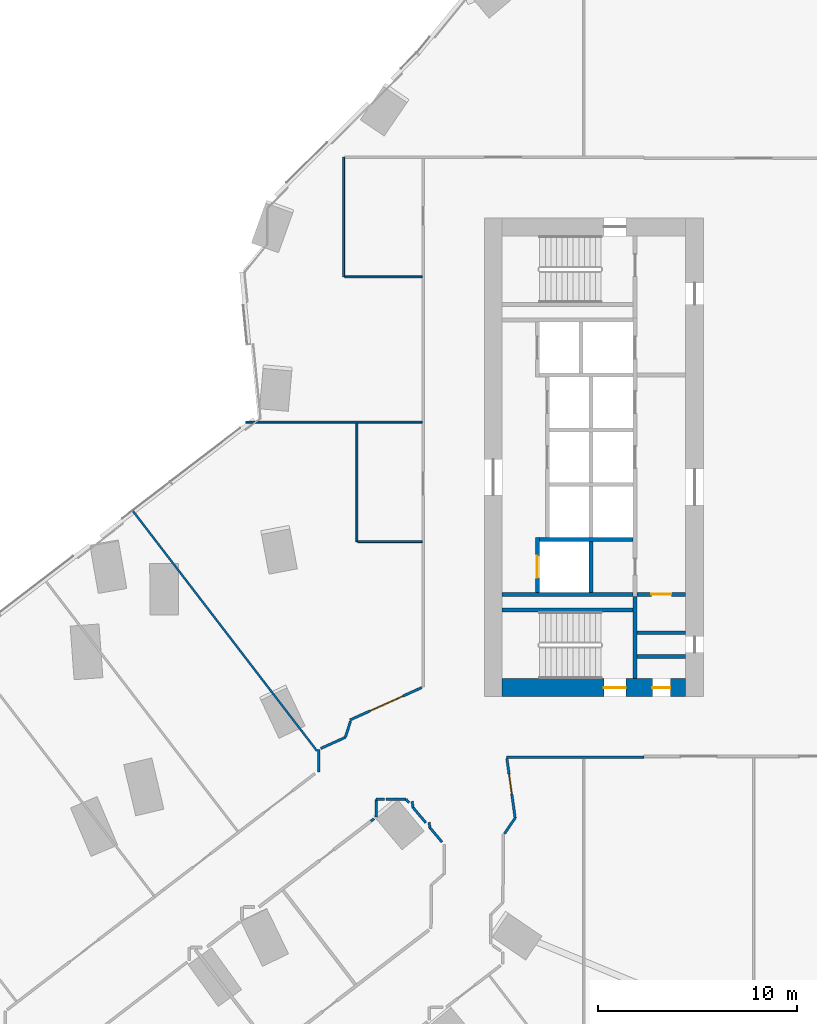
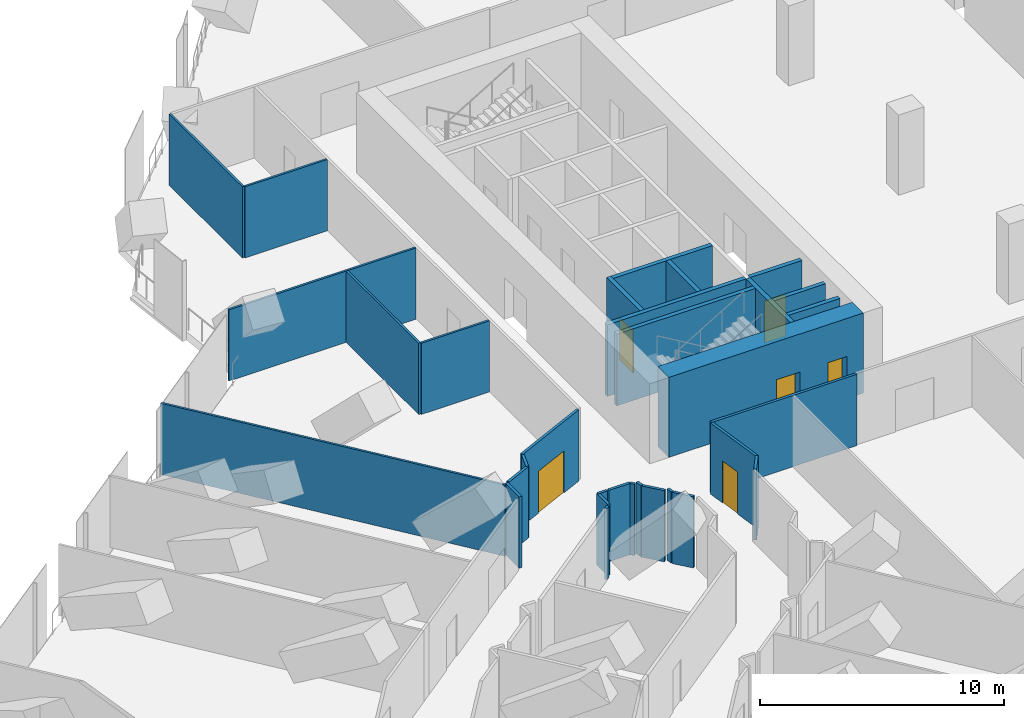
# One storey, part 24 of 32: 32 walls, 6 doors, 6 openings.
"""IFC4 building model written with IfcOpenShell, lengths in metres."""

from ifc_helpers import new_model, si_unit, direction, frame, frame_2d, origin, place, context, subcontext, project, spatial, rectangle, extrude, material, layer, layer_set, type_object, element, fill, save


model = new_model("IFC4")

# Units and contexts
model_context = context("Model", 3, precision=1e-05, world=origin(), true_north=direction((0.0, 1.0)))
body_context = subcontext(model_context, "Body", "Model", "MODEL_VIEW")
ifc_project = project(units=[si_unit("LENGTHUNIT", "METRE"), si_unit("AREAUNIT", "SQUARE_METRE"), si_unit("VOLUMEUNIT", "CUBIC_METRE"), si_unit("PLANEANGLEUNIT", "RADIAN"), si_unit("MASSUNIT", "GRAM", prefix="KILO")], contexts=[model_context])

# Site, building, storey
site_placement = place(None, origin())
site = spatial("IfcSite", under=ifc_project, at=site_placement, CompositionType="ELEMENT")
building_placement = place(site_placement, origin())
building = spatial("IfcBuilding", under=site, at=building_placement, Name="Orlundy Tower", CompositionType="ELEMENT")
storey_placement = place(building_placement, frame((0.0, 0.0, 33.300048828125)))
storey = spatial("IfcBuildingStorey", under=building, at=storey_placement, Name="L06", CompositionType="ELEMENT", Elevation=33.300048828125)

# Wall, openings, doors
ifc_material_1 = material(Name="Concrete C80/95", Category="concrete")
ifc_layer_1 = layer(ifc_material_1, 0.89990234375)
ifc_layer_set_1 = layer_set([ifc_layer_1], Name="CORE WALL 900 C80/95")
wall_type_1 = type_object("IfcWallType", Name="CORE WALL 900 C80/95", PredefinedType="SHEAR", material=ifc_layer_set_1)
wall_1_placement = place(storey_placement, frame((-18.10009765625, -11.550048828125, 0.0), z_axis=(0.0, 0.0, 1.0), x_axis=(1.0, 0.0, 0.0)))
wall_1 = element("IfcWall", 1, at=wall_1_placement, inside=storey, type_object=wall_type_1, Name="Core wall W-S L06", PredefinedType="SHEAR", context=body_context, shape_type="SweptSolid", body=[
    extrude(rectangle(XDim=9.2001953125, YDim=0.89990234375, at=frame_2d((4.60009765625, 0.0))), origin(), (0.0, 0.0, 1.0), 4.0),
])
opening_1_placement = place(wall_1_placement, frame((5.10009765625, 0.0, 0.0)))
opening_1 = element("IfcOpeningElement", 2, at=opening_1_placement, cuts=wall_1, Name="Opening 07013", PredefinedType="OPENING", context=body_context, shape_type="SweptSolid", body=[
    extrude(rectangle(XDim=1.10009765625, YDim=2.10009765625, at=frame_2d((0.550048828125, 1.050048828125))), frame((0.0, 0.4599609375, 0.0), z_axis=(0.0, -1.0, 0.0), x_axis=(1.0, 0.0, 0.0)), (0.0, 0.0, 1.0), 0.919921875),
])
opening_2_placement = place(wall_1_placement, frame((7.530029296875, 0.0, 0.0)))
opening_2 = element("IfcOpeningElement", 3, at=opening_2_placement, cuts=wall_1, Name="Opening 07015", PredefinedType="OPENING", context=body_context, shape_type="SweptSolid", body=[
    extrude(rectangle(XDim=0.89990234375, YDim=2.10009765625, at=frame_2d((0.449951171875, 1.050048828125))), frame((0.0, 0.4599609375, 0.0), z_axis=(0.0, -1.0, 0.0), x_axis=(1.0, 0.0, 0.0)), (0.0, 0.0, 1.0), 0.919921875),
])
ifc_material_2 = material(Name="Timber door set", Category="wood")
door_type_1 = type_object("IfcDoorType", Name="Room Door 900x2100", OperationType="SINGLE_SWING_LEFT", PredefinedType="DOOR", material=ifc_material_2)
door_1_placement = place(opening_2_placement, origin())
door_1 = element("IfcDoor", 4, at=door_1_placement, inside=storey, type_object=door_type_1, Name="Store door 07015", OperationType="SINGLE_SWING_RIGHT", OverallHeight=2.10009765625, OverallWidth=0.89990234375, PredefinedType="DOOR", context=body_context, shape_type="SweptSolid", body=[
    extrude(rectangle(XDim=0.89990234375, YDim=2.10009765625, at=frame_2d((0.449951171875, 1.050048828125))), frame((0.0, 0.02490234375, 0.0), z_axis=(0.0, -1.0, 0.0), x_axis=(1.0, 0.0, 0.0)), (0.0, 0.0, 1.0), 0.050048828125),
])
fill(opening_2, door_1)
ifc_material_3 = material(Name="Steel door set", Category="steel")
door_type_2 = type_object("IfcDoorType", Name="Stair Door 1100x2100", OperationType="SINGLE_SWING_LEFT", PredefinedType="DOOR", material=ifc_material_3)
door_2_placement = place(opening_1_placement, origin())
door_2 = element("IfcDoor", 5, at=door_2_placement, inside=storey, type_object=door_type_2, Name="Stair door 07013", OperationType="SINGLE_SWING_RIGHT", OverallHeight=2.10009765625, OverallWidth=1.10009765625, PredefinedType="DOOR", context=body_context, shape_type="SweptSolid", body=[
    extrude(rectangle(XDim=1.10009765625, YDim=2.10009765625, at=frame_2d((0.550048828125, 1.050048828125))), frame((0.0, 0.02490234375, 0.0), z_axis=(0.0, -1.0, 0.0), x_axis=(1.0, 0.0, 0.0)), (0.0, 0.0, 1.0), 0.050048828125),
])
fill(opening_1, door_2)

# Walls
ifc_material_4 = material(Name="Gypsum board partition")
ifc_layer_2 = layer(ifc_material_4, 0.10009765625)
ifc_layer_set_2 = layer_set([ifc_layer_2], Name="Floor partition 100")
wall_type_2 = type_object("IfcWallType", Name="Floor partition 100", PredefinedType="PARTITIONING", material=ifc_layer_set_2)
wall_2_placement = place(storey_placement, frame((-36.677978515625, -2.618896484375, 0.0), z_axis=(0.0, 0.0, 1.0), x_axis=(0.608725798764, -0.793380679069, 0.0)))
element("IfcWall", 6, at=wall_2_placement, inside=storey, type_object=wall_type_2, Name="wall-int-L06-023", PredefinedType="PARTITIONING", context=body_context, shape_type="SweptSolid", body=[
    extrude(rectangle(XDim=15.25634765625, YDim=0.10009765625, at=frame_2d((7.628173828125, 0.0))), origin(), (0.0, 0.0, 1.0), 3.56005859375),
])
wall_3_placement = place(storey_placement, frame((-25.33203125, -4.23095703125, 0.0), z_axis=(0.0, 0.0, 1.0), x_axis=(1.0, 0.0, 0.0)))
element("IfcWall", 7, at=wall_3_placement, inside=storey, type_object=wall_type_2, Name="wall-int-L06-079", PredefinedType="PARTITIONING", context=body_context, shape_type="SweptSolid", body=[
    extrude(rectangle(XDim=3.218994140625, YDim=0.10009765625, at=frame_2d((1.609375, 0.0))), origin(), (0.0, 0.0, 1.0), 3.56005859375),
])
wall_4_placement = place(storey_placement, frame((-30.9609375, 1.76806640625, 0.0), z_axis=(0.0, 0.0, 1.0), x_axis=(1.0, 0.0, 0.0)))
element("IfcWall", 8, at=wall_4_placement, inside=storey, type_object=wall_type_2, Name="wall-int-L06-080", PredefinedType="PARTITIONING", context=body_context, shape_type="SweptSolid", body=[
    extrude(rectangle(XDim=8.847900390625, YDim=0.10009765625, at=frame_2d((4.423828125, 0.0))), origin(), (0.0, 0.0, 1.0), 3.56005859375),
])
wall_5_placement = place(storey_placement, frame((-25.998046875, 9.048095703125, 0.0), z_axis=(0.0, 0.0, 1.0), x_axis=(1.0, 0.0, 0.0)))
element("IfcWall", 9, at=wall_5_placement, inside=storey, type_object=wall_type_2, Name="wall-int-L06-082", PredefinedType="PARTITIONING", context=body_context, shape_type="SweptSolid", body=[
    extrude(rectangle(XDim=3.885009765625, YDim=0.10009765625, at=frame_2d((1.9423828125, 0.0))), origin(), (0.0, 0.0, 1.0), 3.56005859375),
])
wall_6_placement = place(storey_placement, frame((-25.382080078125, -4.23095703125, 0.0), z_axis=(0.0, 0.0, 1.0), x_axis=(0.0, 1.0, 0.0)))
element("IfcWall", 10, at=wall_6_placement, inside=storey, type_object=wall_type_2, Name="wall-int-L06-159", PredefinedType="PARTITIONING", context=body_context, shape_type="SweptSolid", body=[
    extrude(rectangle(XDim=5.948974609375, YDim=0.10009765625, at=frame_2d((2.974609375, 0.0))), origin(), (0.0, 0.0, 1.0), 3.56005859375),
])
wall_7_placement = place(storey_placement, frame((-26.048095703125, 9.048095703125, 0.0), z_axis=(0.0, 0.0, 1.0), x_axis=(0.0, 1.0, 0.0)))
element("IfcWall", 11, at=wall_7_placement, inside=storey, type_object=wall_type_2, Name="wall-int-L06-160", PredefinedType="PARTITIONING", context=body_context, shape_type="SweptSolid", body=[
    extrude(rectangle(XDim=6.001953125, YDim=0.10009765625, at=frame_2d((3.0009765625, 0.0))), origin(), (0.0, 0.0, 1.0), 3.56005859375),
])
ifc_material_5 = material(Name="Gypsum board partition, double layer")
ifc_layer_3 = layer(ifc_material_5, 0.125)
ifc_layer_set_3 = layer_set([ifc_layer_3], Name="Floor partition 125")
wall_type_3 = type_object("IfcWallType", Name="Floor partition 125", PredefinedType="PARTITIONING", material=ifc_layer_set_3)
wall_8_placement = place(storey_placement, frame((-22.616943359375, -17.2529296875, 0.0), z_axis=(0.0, 0.0, 1.0), x_axis=(0.13769629663, -0.990474497347, 0.0)))
element("IfcWall", 12, at=wall_8_placement, inside=storey, type_object=wall_type_3, Name="wall-int-L06-005", PredefinedType="PARTITIONING", context=body_context, shape_type="SweptSolid", body=[
    extrude(rectangle(XDim=0.31201171875, YDim=0.125, at=frame_2d((0.156005859375, 0.0))), origin(), (0.0, 0.0, 1.0), 3.56005859375),
])
wall_9_placement = place(storey_placement, frame((-21.763916015625, -18.304931640625, 0.0), z_axis=(0.0, 0.0, 1.0), x_axis=(0.136729319326, -0.990608445975, 0.0)))
element("IfcWall", 13, at=wall_9_placement, inside=storey, type_object=wall_type_3, Name="wall-int-L06-006", PredefinedType="PARTITIONING", context=body_context, shape_type="SweptSolid", body=[
    extrude(rectangle(XDim=0.26953125, YDim=0.125, at=frame_2d((0.134765625, 0.0))), origin(), (0.0, 0.0, 1.0), 3.56005859375),
])

# Wall, opening, door
wall_10_placement = place(storey_placement, frame((-17.864990234375, -15.113037109375, 0.0), z_axis=(0.0, 0.0, 1.0), x_axis=(0.137539572685, -0.990496272555, 0.0)))
wall_10 = element("IfcWall", 14, at=wall_10_placement, inside=storey, type_object=wall_type_3, Name="wall-int-L06-007", PredefinedType="PARTITIONING", context=body_context, shape_type="SweptSolid", body=[
    extrude(rectangle(XDim=3.00341796875, YDim=0.125, at=frame_2d((1.501708984375, 0.0))), origin(), (0.0, 0.0, 1.0), 3.56005859375),
])
opening_3_placement = place(wall_10_placement, frame((0.78759765625, 0.0, 0.0)))
opening_3 = element("IfcOpeningElement", 15, at=opening_3_placement, cuts=wall_10, Name="Opening 07120", PredefinedType="OPENING", context=body_context, shape_type="SweptSolid", body=[
    extrude(rectangle(XDim=1.0, YDim=2.10009765625, at=frame_2d((0.5, 1.050048828125))), frame((0.0, 0.072509765625, 0.0), z_axis=(0.0, -1.0, 0.0), x_axis=(1.0, 0.0, 0.0)), (0.0, 0.0, 1.0), 0.14501953125),
])
ifc_material_6 = material(Name="Timber door leaf", Category="wood")
door_type_3 = type_object("IfcDoorType", Name="Floor door wide 1000 FD30S", OperationType="NOTDEFINED", PredefinedType="DOOR", material=ifc_material_6)
door_3_placement = place(opening_3_placement, origin())
door_3 = element("IfcDoor", 16, at=door_3_placement, inside=storey, type_object=door_type_3, Name="Door 07120", OperationType="SINGLE_SWING_LEFT", OverallHeight=2.10009765625, OverallWidth=1.0, PredefinedType="DOOR", context=body_context, shape_type="SweptSolid", body=[
    extrude(rectangle(XDim=1.0, YDim=2.10009765625, at=frame_2d((0.5, 1.050048828125))), frame((0.0, 0.02490234375, 0.0), z_axis=(0.0, -1.0, 0.0), x_axis=(1.0, 0.0, 0.0)), (0.0, 0.0, 1.0), 0.050048828125),
])
fill(opening_3, door_3)

# Walls
wall_11_placement = place(storey_placement, frame((-25.7041015625, -13.22900390625, 0.0), z_axis=(0.0, 0.0, 1.0), x_axis=(-0.306395930256, -0.951904162152, 0.0)))
element("IfcWall", 17, at=wall_11_placement, inside=storey, type_object=wall_type_3, Name="wall-int-L06-008", PredefinedType="PARTITIONING", context=body_context, shape_type="SweptSolid", body=[
    extrude(rectangle(XDim=0.858154296875, YDim=0.125, at=frame_2d((0.42919921875, 0.0))), origin(), (0.0, 0.0, 1.0), 3.56005859375),
])
wall_12_placement = place(storey_placement, frame((-22.9150390625, -17.154052734375, 0.0), z_axis=(0.0, 0.0, 1.0), x_axis=(0.636251036078, -0.771482092527, 0.0)))
element("IfcWall", 18, at=wall_12_placement, inside=storey, type_object=wall_type_3, Name="wall-int-L06-025", PredefinedType="PARTITIONING", context=body_context, shape_type="SweptSolid", body=[
    extrude(rectangle(XDim=0.22021484375, YDim=0.125, at=frame_2d((0.110107421875, 0.0))), origin(), (0.0, 0.0, 1.0), 3.56005859375),
])
wall_13_placement = place(storey_placement, frame((-22.573974609375, -17.56298828125, 0.0), z_axis=(0.0, 0.0, 1.0), x_axis=(0.644000213242, -0.765025310264, 0.0)))
element("IfcWall", 19, at=wall_13_placement, inside=storey, type_object=wall_type_3, Name="wall-int-L06-026", PredefinedType="PARTITIONING", context=body_context, shape_type="SweptSolid", body=[
    extrude(rectangle(XDim=0.99853515625, YDim=0.125, at=frame_2d((0.499267578125, 0.0))), origin(), (0.0, 0.0, 1.0), 3.56005859375),
])
wall_14_placement = place(storey_placement, frame((-21.72705078125, -18.572998046875, 0.0), z_axis=(0.0, 0.0, 1.0), x_axis=(0.643761629109, -0.765226087432, 0.0)))
element("IfcWall", 20, at=wall_14_placement, inside=storey, type_object=wall_type_3, Name="wall-int-L06-027", PredefinedType="PARTITIONING", context=body_context, shape_type="SweptSolid", body=[
    extrude(rectangle(XDim=0.944580078125, YDim=0.125, at=frame_2d((0.47216796875, 0.0))), origin(), (0.0, 0.0, 1.0), 3.56005859375),
])
wall_15_placement = place(storey_placement, frame((-24.423095703125, -17.154052734375, 0.0), z_axis=(0.0, 0.0, 1.0), x_axis=(1.0, 0.0, 0.0)))
element("IfcWall", 21, at=wall_15_placement, inside=storey, type_object=wall_type_3, Name="wall-int-L06-071", PredefinedType="PARTITIONING", context=body_context, shape_type="SweptSolid", body=[
    extrude(rectangle(XDim=0.4169921875, YDim=0.125, at=frame_2d((0.20849609375, 0.0))), origin(), (0.0, 0.0, 1.0), 3.56005859375),
])
wall_16_placement = place(storey_placement, frame((-23.93408203125, -17.154052734375, 0.0), z_axis=(0.0, 0.0, 1.0), x_axis=(1.0, 0.0, 0.0)))
element("IfcWall", 22, at=wall_16_placement, inside=storey, type_object=wall_type_3, Name="wall-int-L06-072", PredefinedType="PARTITIONING", context=body_context, shape_type="SweptSolid", body=[
    extrude(rectangle(XDim=1.01904296875, YDim=0.125, at=frame_2d((0.509521484375, 0.0))), origin(), (0.0, 0.0, 1.0), 3.56005859375),
])
wall_17_placement = place(storey_placement, frame((-17.8740234375, -15.051025390625, 0.0), z_axis=(0.0, 0.0, 1.0), x_axis=(1.0, 0.0, 0.0)))
element("IfcWall", 23, at=wall_17_placement, inside=storey, type_object=wall_type_3, Name="wall-int-L06-073", PredefinedType="PARTITIONING", context=body_context, shape_type="SweptSolid", body=[
    extrude(rectangle(XDim=6.883056640625, YDim=0.125, at=frame_2d((3.44140625, 0.0))), origin(), (0.0, 0.0, 1.0), 3.56005859375),
])
wall_18_placement = place(storey_placement, frame((-17.986083984375, -18.876953125, 0.0), z_axis=(0.0, 0.0, 1.0), x_axis=(0.560598849045, 0.828087513763, 0.0)))
element("IfcWall", 24, at=wall_18_placement, inside=storey, type_object=wall_type_3, Name="wall-int-L06-088", PredefinedType="PARTITIONING", context=body_context, shape_type="SweptSolid", body=[
    extrude(rectangle(XDim=0.952880859375, YDim=0.125, at=frame_2d((0.4765625, 0.0))), origin(), (0.0, 0.0, 1.0), 3.56005859375),
])
wall_19_placement = place(storey_placement, frame((-27.200927734375, -14.60302734375, 0.0), z_axis=(0.0, 0.0, 1.0), x_axis=(0.911401146152, 0.411519077071, 0.0)))
element("IfcWall", 25, at=wall_19_placement, inside=storey, type_object=wall_type_3, Name="wall-int-L06-089", PredefinedType="PARTITIONING", context=body_context, shape_type="SweptSolid", body=[
    extrude(rectangle(XDim=1.353759765625, YDim=0.125, at=frame_2d((0.6767578125, 0.0))), origin(), (0.0, 0.0, 1.0), 3.56005859375),
])

# Wall, opening, door
wall_20_placement = place(storey_placement, frame((-25.72998046875, -13.172119140625, 0.0), z_axis=(0.0, 0.0, 1.0), x_axis=(0.911477014729, 0.411351007803, 0.0)))
wall_20 = element("IfcWall", 26, at=wall_20_placement, inside=storey, type_object=wall_type_3, Name="wall-int-L06-090", PredefinedType="PARTITIONING", context=body_context, shape_type="SweptSolid", body=[
    extrude(rectangle(XDim=3.94091796875, YDim=0.125, at=frame_2d((1.970458984375, 0.0))), origin(), (0.0, 0.0, 1.0), 3.56005859375),
])
opening_4_placement = place(wall_20_placement, frame((1.10009765625, 0.0, 0.0)))
opening_4 = element("IfcOpeningElement", 27, at=opening_4_placement, cuts=wall_20, Name="Opening 07119", PredefinedType="OPENING", context=body_context, shape_type="SweptSolid", body=[
    extrude(rectangle(XDim=1.800048828125, YDim=2.10009765625, at=frame_2d((0.89990234375, 1.050048828125))), frame((0.0, 0.072509765625, 0.0), z_axis=(0.0, -1.0, 0.0), x_axis=(1.0, 0.0, 0.0)), (0.0, 0.0, 1.0), 0.14501953125),
])
ifc_material_7 = material(Name="Timber door leaf", Category="wood")
door_type_4 = type_object("IfcDoorType", Name="Floor door double 1800 FD30S", OperationType="NOTDEFINED", PredefinedType="DOOR", material=ifc_material_7)
door_4_placement = place(opening_4_placement, origin())
door_4 = element("IfcDoor", 28, at=door_4_placement, inside=storey, type_object=door_type_4, Name="Door 07119", OperationType="DOUBLE_DOOR_SINGLE_SWING", OverallHeight=2.10009765625, OverallWidth=1.800048828125, PredefinedType="DOOR", context=body_context, shape_type="SweptSolid", body=[
    extrude(rectangle(XDim=1.800048828125, YDim=2.10009765625, at=frame_2d((0.89990234375, 1.050048828125))), frame((0.0, 0.02490234375, 0.0), z_axis=(0.0, -1.0, 0.0), x_axis=(1.0, 0.0, 0.0)), (0.0, 0.0, 1.0), 0.050048828125),
])
fill(opening_4, door_4)

# Walls
wall_21_placement = place(storey_placement, frame((-24.68603515625, -18.2490234375, 0.0), z_axis=(0.0, 0.0, 1.0), x_axis=(0.792983350532, 0.609243305896, 0.0)))
element("IfcWall", 29, at=wall_21_placement, inside=storey, type_object=wall_type_3, Name="wall-int-L06-112", PredefinedType="PARTITIONING", context=body_context, shape_type="SweptSolid", body=[
    extrude(rectangle(XDim=0.201904296875, YDim=0.125, at=frame_2d((0.10107421875, 0.0))), origin(), (0.0, 0.0, 1.0), 3.56005859375),
])
wall_22_placement = place(storey_placement, frame((-24.423095703125, -18.048095703125, 0.0), z_axis=(0.0, 0.0, 1.0), x_axis=(0.0, 1.0, 0.0)))
element("IfcWall", 30, at=wall_22_placement, inside=storey, type_object=wall_type_3, Name="wall-int-L06-157", PredefinedType="PARTITIONING", context=body_context, shape_type="SweptSolid", body=[
    extrude(rectangle(XDim=0.89404296875, YDim=0.125, at=frame_2d((0.447021484375, 0.0))), origin(), (0.0, 0.0, 1.0), 3.56005859375),
])
wall_23_placement = place(storey_placement, frame((-27.2890625, -15.784912109375, 0.0), z_axis=(0.0, 0.0, 1.0), x_axis=(0.0, 1.0, 0.0)))
element("IfcWall", 31, at=wall_23_placement, inside=storey, type_object=wall_type_3, Name="wall-int-L06-161", PredefinedType="PARTITIONING", context=body_context, shape_type="SweptSolid", body=[
    extrude(rectangle(XDim=1.141845703125, YDim=0.125, at=frame_2d((0.57080078125, 0.0))), origin(), (0.0, 0.0, 1.0), 3.56005859375),
])
ifc_material_8 = material(Name="Concrete C40/50", Category="concrete")
ifc_layer_4 = layer(ifc_material_8, 0.199951171875)
ifc_layer_set_4 = layer_set([ifc_layer_4], Name="Load-bearing Shaft Wall 200")
wall_type_4 = type_object("IfcWallType", Name="Load-bearing Shaft Wall 200", PredefinedType="SOLIDWALL", material=ifc_layer_set_4)
wall_24_placement = place(storey_placement, frame((-11.43994140625, -11.10009765625, 0.0), z_axis=(0.0, 0.0, 1.0), x_axis=(0.0, 1.0, 0.0)))
element("IfcWall", 32, at=wall_24_placement, inside=storey, type_object=wall_type_4, Name="Shaft wall W07-stair-end-s", PredefinedType="SOLIDWALL", context=body_context, shape_type="SweptSolid", body=[
    extrude(rectangle(XDim=4.125, YDim=0.199951171875, at=frame_2d((2.0625, 0.0))), origin(), (0.0, 0.0, 1.0), 3.579833984375),
])
wall_25_placement = place(storey_placement, frame((-11.5400390625, -7.64990234375, 0.0), z_axis=(0.0, 0.0, 1.0), x_axis=(-1.0, 0.0, 0.0)))
element("IfcWall", 33, at=wall_25_placement, inside=storey, type_object=wall_type_4, Name="Shaft wall W07-stair-side-s", PredefinedType="SOLIDWALL", context=body_context, shape_type="SweptSolid", body=[
    extrude(rectangle(XDim=6.56005859375, YDim=0.199951171875, at=frame_2d((3.280029296875, 0.0))), origin(), (0.0, 0.0, 1.0), 3.579833984375),
])

# Wall, opening, door
ifc_material_9 = material(Name="Gypsum board partition on steel studs", Category="steel")
ifc_layer_5 = layer(ifc_material_9, 0.199951171875)
ifc_layer_set_5 = layer_set([ifc_layer_5], Name="Partition 200")
wall_type_5 = type_object("IfcWallType", Name="Partition 200", PredefinedType="PARTITIONING", material=ifc_layer_set_5)
wall_26_placement = place(storey_placement, frame((-8.89990234375, -6.875, 0.0), z_axis=(0.0, 0.0, 1.0), x_axis=(-1.0, 0.0, 0.0)))
wall_26 = element("IfcWall", 34, at=wall_26_placement, inside=storey, type_object=wall_type_5, Name="Partition wall W07-end-s", PredefinedType="PARTITIONING", context=body_context, shape_type="SweptSolid", body=[
    extrude(rectangle(XDim=2.440185546875, YDim=0.199951171875, at=frame_2d((1.22021484375, 0.0))), origin(), (0.0, 0.0, 1.0), 3.579833984375),
])
opening_5_placement = place(wall_26_placement, frame((0.719970703125, 0.0, 0.0)))
opening_5 = element("IfcOpeningElement", 35, at=opening_5_placement, cuts=wall_26, Name="Opening 07017", PredefinedType="OPENING", context=body_context, shape_type="SweptSolid", body=[
    extrude(rectangle(XDim=1.0, YDim=2.10009765625, at=frame_2d((0.5, 1.050048828125))), frame((0.0, 0.110107421875, 0.0), z_axis=(0.0, -1.0, 0.0), x_axis=(1.0, 0.0, 0.0)), (0.0, 0.0, 1.0), 0.22021484375),
])
ifc_material_10 = material(Name="Timber door set", Category="wood")
door_type_5 = type_object("IfcDoorType", Name="Accessible Door 1000x2100", OperationType="SINGLE_SWING_LEFT", PredefinedType="DOOR", material=ifc_material_10)
door_5_placement = place(opening_5_placement, origin())
door_5 = element("IfcDoor", 36, at=door_5_placement, inside=storey, type_object=door_type_5, Name="Accessible WC door 07017", OperationType="SINGLE_SWING_RIGHT", OverallHeight=2.10009765625, OverallWidth=1.0, PredefinedType="DOOR", context=body_context, shape_type="SweptSolid", body=[
    extrude(rectangle(XDim=1.0, YDim=2.10009765625, at=frame_2d((0.5, 1.050048828125))), frame((0.0, 0.02490234375, 0.0), z_axis=(0.0, -1.0, 0.0), x_axis=(1.0, 0.0, 0.0)), (0.0, 0.0, 1.0), 0.050048828125),
])
fill(opening_5, door_5)

# Walls
for number, where, z_axis, x_axis, name in (
    (37, (-8.89990234375, -10.0, 0.0), (0.0, 0.0, 1.0), (-1.0, 0.0, 0.0), "Partition wall W07-room-s0"),
    (38, (-8.89990234375, -8.800048828125, 0.0), (0.0, 0.0, 1.0), (-1.0, 0.0, 0.0), "Partition wall W07-room-s1"),
):
    element("IfcWall", number, at=place(storey_placement, frame(where, z_axis=z_axis, x_axis=x_axis)), inside=storey, type_object=wall_type_5, Name=name, PredefinedType="PARTITIONING", context=body_context, shape_type="SweptSolid", body=[
        extrude(rectangle(XDim=2.440185546875, YDim=0.199951171875, at=frame_2d((1.22021484375, 0.0))), origin(), (0.0, 0.0, 1.0), 3.579833984375),
    ])
ifc_material_11 = material(Name="Fire-rated blockwork shaft wall", Category="masonry")
ifc_layer_6 = layer(ifc_material_11, 0.199951171875)
ifc_layer_set_6 = layer_set([ifc_layer_6], Name="Shaft Wall 200")
wall_type_6 = type_object("IfcWallType", Name="Shaft Wall 200", PredefinedType="SOLIDWALL", material=ifc_layer_set_6)
wall_27_placement = place(storey_placement, frame((-11.5400390625, -6.875, 0.0), z_axis=(0.0, 0.0, 1.0), x_axis=(-1.0, 0.0, 0.0)))
element("IfcWall", 39, at=wall_27_placement, inside=storey, type_object=wall_type_6, Name="Shaft wall W07-zone-s", PredefinedType="SOLIDWALL", context=body_context, shape_type="SweptSolid", body=[
    extrude(rectangle(XDim=6.56005859375, YDim=0.199951171875, at=frame_2d((3.280029296875, 0.0))), origin(), (0.0, 0.0, 1.0), 3.579833984375),
])
wall_28_placement = place(storey_placement, frame((-11.5400390625, -4.125, 0.0), z_axis=(0.0, 0.0, 1.0), x_axis=(-1.0, 0.0, 0.0)))
element("IfcWall", 40, at=wall_28_placement, inside=storey, type_object=wall_type_6, Name="Shaft wall W07-cross-4.125", PredefinedType="SOLIDWALL", context=body_context, shape_type="SweptSolid", body=[
    extrude(rectangle(XDim=4.699951171875, YDim=0.199951171875, at=frame_2d((2.35009765625, 0.0))), origin(), (0.0, 0.0, 1.0), 3.579833984375),
])
wall_29_placement = place(storey_placement, frame((-13.639892578125, -6.77490234375, 0.0), z_axis=(0.0, 0.0, 1.0), x_axis=(0.0, 1.0, 0.0)))
element("IfcWall", 41, at=wall_29_placement, inside=storey, type_object=wall_type_6, Name="Shaft wall W07-mid-a", PredefinedType="SOLIDWALL", context=body_context, shape_type="SweptSolid", body=[
    extrude(rectangle(XDim=2.5498046875, YDim=0.199951171875, at=frame_2d((1.27490234375, 0.0))), origin(), (0.0, 0.0, 1.0), 3.579833984375),
])

# Wall, opening, door
wall_30_placement = place(storey_placement, frame((-16.340087890625, -6.77490234375, 0.0), z_axis=(0.0, 0.0, 1.0), x_axis=(0.0, 1.0, 0.0)))
wall_30 = element("IfcWall", 42, at=wall_30_placement, inside=storey, type_object=wall_type_6, Name="Shaft wall W07-front-o-a", PredefinedType="SOLIDWALL", context=body_context, shape_type="SweptSolid", body=[
    extrude(rectangle(XDim=2.75, YDim=0.199951171875, at=frame_2d((1.375, 0.0))), origin(), (0.0, 0.0, 1.0), 3.579833984375),
])
opening_6_placement = place(wall_30_placement, frame((0.72509765625, 0.0, 0.0)))
opening_6 = element("IfcOpeningElement", 43, at=opening_6_placement, cuts=wall_30, Name="Opening 07001", PredefinedType="OPENING", context=body_context, shape_type="SweptSolid", body=[
    extrude(rectangle(XDim=1.10009765625, YDim=2.10009765625, at=frame_2d((0.550048828125, 1.050048828125))), frame((0.0, 0.110107421875, 0.0), z_axis=(0.0, -1.0, 0.0), x_axis=(1.0, 0.0, 0.0)), (0.0, 0.0, 1.0), 0.22021484375),
])
ifc_material_12 = material(Name="Steel door set", Category="steel")
door_type_6 = type_object("IfcDoorType", Name="Landing Door 1100x2100", OperationType="DOUBLE_DOOR_SLIDING", PredefinedType="DOOR", material=ifc_material_12)
door_6_placement = place(opening_6_placement, origin())
door_6 = element("IfcDoor", 44, at=door_6_placement, inside=storey, type_object=door_type_6, Name="Lift landing door LV-01 07001", OperationType="DOUBLE_DOOR_SLIDING", OverallHeight=2.10009765625, OverallWidth=1.10009765625, PredefinedType="DOOR", context=body_context, shape_type="SweptSolid", body=[
    extrude(rectangle(XDim=1.10009765625, YDim=2.10009765625, at=frame_2d((0.550048828125, 1.050048828125))), frame((0.0, 0.02490234375, 0.0), z_axis=(0.0, -1.0, 0.0), x_axis=(1.0, 0.0, 0.0)), (0.0, 0.0, 1.0), 0.050048828125),
])
fill(opening_6, door_6)

save(model, "model.ifc")
